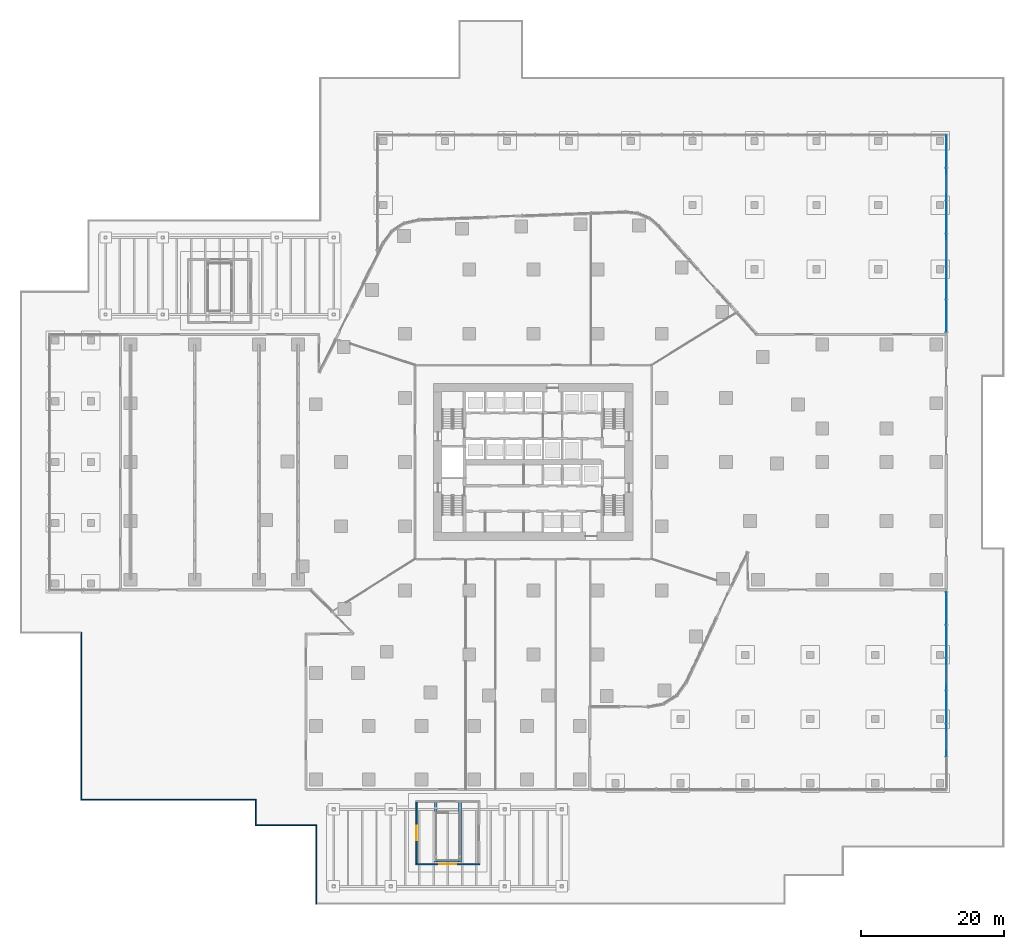
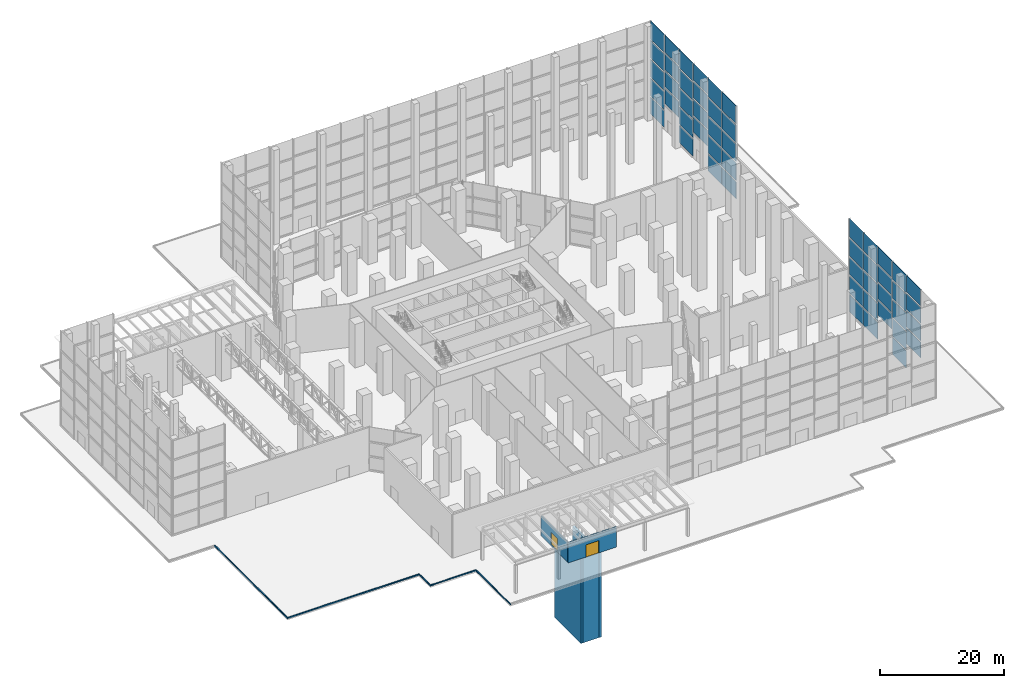
# One storey, part 27 of 40: 51 plates, 10 walls, 1 door, 1 window, 2 openings, 9 elements without a shape of their own.
"""IFC4 building model written with IfcOpenShell, lengths in metres."""

from ifc_helpers import new_model, si_unit, direction, frame, frame_2d, origin, origin_2d, place, context, subcontext, project, spatial, rectangle, extrude, material, layer, layer_set, type_object, element, fill, aggregate, save


model = new_model("IFC4")

# Units and contexts
model_context = context("Model", 3, precision=1e-05, world=origin(), true_north=direction((0.0, 1.0)))
body_context = subcontext(model_context, "Body", "Model", "MODEL_VIEW")
ifc_project = project(units=[si_unit("LENGTHUNIT", "METRE"), si_unit("AREAUNIT", "SQUARE_METRE"), si_unit("VOLUMEUNIT", "CUBIC_METRE"), si_unit("PLANEANGLEUNIT", "RADIAN"), si_unit("MASSUNIT", "GRAM", prefix="KILO")], contexts=[model_context])

# Site, building, storey
site_placement = place(None, origin())
site = spatial("IfcSite", under=ifc_project, at=site_placement, CompositionType="ELEMENT")
building_placement = place(site_placement, origin())
building = spatial("IfcBuilding", under=site, at=building_placement, Name="Dongbaek Canopy Tower", CompositionType="ELEMENT")
storey_placement = place(building_placement, origin())
storey = spatial("IfcBuildingStorey", under=building, at=storey_placement, Name="L00", CompositionType="ELEMENT", Elevation=0.0)

# Curtain wall, plates
ifc_material_1 = material(Name="Aluminium 6063-T6 pale anodised", Category="aluminium")
ifc_layer_1 = layer(ifc_material_1, 0.39990234375)
ifc_layer_set_1 = layer_set([ifc_layer_1], Name="CW-3 lobby double-height curtain wall")
curtain_wall_type = type_object("IfcCurtainWallType", Name="CW-3 lobby double-height curtain wall", PredefinedType="NOTDEFINED", material=ifc_layer_set_1)
curtain_wall_1_placement = place(storey_placement, origin())
curtain_wall_1 = element("IfcCurtainWall", 1, at=curtain_wall_1_placement, inside=storey, type_object=curtain_wall_type, Name="CW-3 curtain wall HNE.1", PredefinedType="NOTDEFINED")
ifc_material_2 = material(Name="Clear laminated glass", Category="glass")
ifc_layer_2 = layer(ifc_material_2, 0.0439453125)
ifc_layer_set_2 = layer_set([ifc_layer_2], Name="CW-3 glazed panel 44")
plate_type = type_object("IfcPlateType", Name="CW-3 glazed panel 44", PredefinedType="CURTAIN_PANEL", material=ifc_layer_set_2)
plate_1_placement = place(storey_placement, frame((57.89990234375, 20.50830078125, 0.25), z_axis=(0.0, 0.0, 1.0), x_axis=(0.0, 1.0, 0.0)))
plate_1 = element("IfcPlate", 2, at=plate_1_placement, type_object=plate_type, Name="CW-3 panel HNE.1.1.1", PredefinedType="CURTAIN_PANEL", context=body_context, shape_type="SweptSolid", body=[
    extrude(rectangle(XDim=4.49267578125, YDim=0.0439453125, at=origin_2d()), origin(), (0.0, 0.0, 1.0), 3.3349609375),
])
plate_2_placement = place(storey_placement, frame((57.89990234375, 20.50830078125, 3.8349609375), z_axis=(0.0, 0.0, 1.0), x_axis=(0.0, 1.0, 0.0)))
plate_2 = element("IfcPlate", 3, at=plate_2_placement, type_object=plate_type, Name="CW-3 panel HNE.1.1.2", PredefinedType="CURTAIN_PANEL", context=body_context, shape_type="SweptSolid", body=[
    extrude(rectangle(XDim=4.49267578125, YDim=0.0439453125, at=origin_2d()), origin(), (0.0, 0.0, 1.0), 3.4599609375),
])
plate_3_placement = place(storey_placement, frame((57.89990234375, 20.50830078125, 7.544921875), z_axis=(0.0, 0.0, 1.0), x_axis=(0.0, 1.0, 0.0)))
plate_3 = element("IfcPlate", 4, at=plate_3_placement, type_object=plate_type, Name="CW-3 panel HNE.1.1.3", PredefinedType="CURTAIN_PANEL", context=body_context, shape_type="SweptSolid", body=[
    extrude(rectangle(XDim=4.49267578125, YDim=0.0439453125, at=origin_2d()), origin(), (0.0, 0.0, 1.0), 3.4599609375),
])
plate_4_placement = place(storey_placement, frame((57.89990234375, 20.50830078125, 11.255126953125), z_axis=(0.0, 0.0, 1.0), x_axis=(0.0, 1.0, 0.0)))
plate_4 = element("IfcPlate", 5, at=plate_4_placement, type_object=plate_type, Name="CW-3 panel HNE.1.1.4", PredefinedType="CURTAIN_PANEL", context=body_context, shape_type="SweptSolid", body=[
    extrude(rectangle(XDim=4.49267578125, YDim=0.0439453125, at=origin_2d()), origin(), (0.0, 0.0, 1.0), 3.4599609375),
])
plate_5_placement = place(storey_placement, frame((57.89990234375, 20.50830078125, 14.965087890625), z_axis=(0.0, 0.0, 1.0), x_axis=(0.0, 1.0, 0.0)))
plate_5 = element("IfcPlate", 6, at=plate_5_placement, type_object=plate_type, Name="CW-3 panel HNE.1.1.5", PredefinedType="CURTAIN_PANEL", context=body_context, shape_type="SweptSolid", body=[
    extrude(rectangle(XDim=4.49267578125, YDim=0.0439453125, at=origin_2d()), origin(), (0.0, 0.0, 1.0), 3.5849609375),
])
plate_6_placement = place(storey_placement, frame((57.89990234375, 25.125, 0.25), z_axis=(0.0, 0.0, 1.0), x_axis=(0.0, 1.0, 0.0)))
plate_6 = element("IfcPlate", 7, at=plate_6_placement, type_object=plate_type, Name="CW-3 panel HNE.1.2.1", PredefinedType="CURTAIN_PANEL", context=body_context, shape_type="SweptSolid", body=[
    extrude(rectangle(XDim=4.49267578125, YDim=0.0439453125, at=origin_2d()), origin(), (0.0, 0.0, 1.0), 3.3349609375),
])
plate_7_placement = place(storey_placement, frame((57.89990234375, 25.125, 3.8349609375), z_axis=(0.0, 0.0, 1.0), x_axis=(0.0, 1.0, 0.0)))
plate_7 = element("IfcPlate", 8, at=plate_7_placement, type_object=plate_type, Name="CW-3 panel HNE.1.2.2", PredefinedType="CURTAIN_PANEL", context=body_context, shape_type="SweptSolid", body=[
    extrude(rectangle(XDim=4.49267578125, YDim=0.0439453125, at=origin_2d()), origin(), (0.0, 0.0, 1.0), 3.4599609375),
])
plate_8_placement = place(storey_placement, frame((57.89990234375, 25.125, 7.544921875), z_axis=(0.0, 0.0, 1.0), x_axis=(0.0, 1.0, 0.0)))
plate_8 = element("IfcPlate", 9, at=plate_8_placement, type_object=plate_type, Name="CW-3 panel HNE.1.2.3", PredefinedType="CURTAIN_PANEL", context=body_context, shape_type="SweptSolid", body=[
    extrude(rectangle(XDim=4.49267578125, YDim=0.0439453125, at=origin_2d()), origin(), (0.0, 0.0, 1.0), 3.4599609375),
])
plate_9_placement = place(storey_placement, frame((57.89990234375, 25.125, 11.255126953125), z_axis=(0.0, 0.0, 1.0), x_axis=(0.0, 1.0, 0.0)))
plate_9 = element("IfcPlate", 10, at=plate_9_placement, type_object=plate_type, Name="CW-3 panel HNE.1.2.4", PredefinedType="CURTAIN_PANEL", context=body_context, shape_type="SweptSolid", body=[
    extrude(rectangle(XDim=4.49267578125, YDim=0.0439453125, at=origin_2d()), origin(), (0.0, 0.0, 1.0), 3.4599609375),
])
plate_10_placement = place(storey_placement, frame((57.89990234375, 25.125, 14.965087890625), z_axis=(0.0, 0.0, 1.0), x_axis=(0.0, 1.0, 0.0)))
plate_10 = element("IfcPlate", 11, at=plate_10_placement, type_object=plate_type, Name="CW-3 panel HNE.1.2.5", PredefinedType="CURTAIN_PANEL", context=body_context, shape_type="SweptSolid", body=[
    extrude(rectangle(XDim=4.49267578125, YDim=0.0439453125, at=origin_2d()), origin(), (0.0, 0.0, 1.0), 3.5849609375),
])
aggregate(curtain_wall_1, [plate_1, plate_2, plate_3, plate_4, plate_5, plate_6, plate_7, plate_8, plate_9, plate_10])

curtain_wall_2_placement = place(storey_placement, origin())
curtain_wall_2 = element("IfcCurtainWall", 12, at=curtain_wall_2_placement, inside=storey, type_object=curtain_wall_type, Name="CW-3 curtain wall HNE.3U", PredefinedType="NOTDEFINED")
plate_11_placement = place(storey_placement, frame((57.89990234375, 29.74169921875, 5.050048828125), z_axis=(0.0, 0.0, 1.0), x_axis=(0.0, 1.0, 0.0)))
plate_11 = element("IfcPlate", 13, at=plate_11_placement, type_object=plate_type, Name="CW-3 panel HNE.3U.1.1", PredefinedType="CURTAIN_PANEL", context=body_context, shape_type="SweptSolid", body=[
    extrude(rectangle(XDim=4.49267578125, YDim=0.0439453125, at=origin_2d()), origin(), (0.0, 0.0, 1.0), 3.0625),
])
plate_12_placement = place(storey_placement, frame((57.89990234375, 29.74169921875, 8.362548828125), z_axis=(0.0, 0.0, 1.0), x_axis=(0.0, 1.0, 0.0)))
plate_12 = element("IfcPlate", 14, at=plate_12_placement, type_object=plate_type, Name="CW-3 panel HNE.3U.1.2", PredefinedType="CURTAIN_PANEL", context=body_context, shape_type="SweptSolid", body=[
    extrude(rectangle(XDim=4.49267578125, YDim=0.0439453125, at=origin_2d()), origin(), (0.0, 0.0, 1.0), 3.1875),
])
plate_13_placement = place(storey_placement, frame((57.89990234375, 29.74169921875, 11.800048828125), z_axis=(0.0, 0.0, 1.0), x_axis=(0.0, 1.0, 0.0)))
plate_13 = element("IfcPlate", 15, at=plate_13_placement, type_object=plate_type, Name="CW-3 panel HNE.3U.1.3", PredefinedType="CURTAIN_PANEL", context=body_context, shape_type="SweptSolid", body=[
    extrude(rectangle(XDim=4.49267578125, YDim=0.0439453125, at=origin_2d()), origin(), (0.0, 0.0, 1.0), 3.1875),
])
plate_14_placement = place(storey_placement, frame((57.89990234375, 29.74169921875, 15.237548828125), z_axis=(0.0, 0.0, 1.0), x_axis=(0.0, 1.0, 0.0)))
plate_14 = element("IfcPlate", 16, at=plate_14_placement, type_object=plate_type, Name="CW-3 panel HNE.3U.1.4", PredefinedType="CURTAIN_PANEL", context=body_context, shape_type="SweptSolid", body=[
    extrude(rectangle(XDim=4.49267578125, YDim=0.0439453125, at=origin_2d()), origin(), (0.0, 0.0, 1.0), 3.3125),
])
aggregate(curtain_wall_2, [plate_11, plate_12, plate_13, plate_14])

curtain_wall_3_placement = place(storey_placement, origin())
curtain_wall_3 = element("IfcCurtainWall", 17, at=curtain_wall_3_placement, inside=storey, type_object=curtain_wall_type, Name="CW-3 curtain wall HNE.2", PredefinedType="NOTDEFINED")
plate_15_placement = place(storey_placement, frame((57.89990234375, 34.3583984375, 0.25), z_axis=(0.0, 0.0, 1.0), x_axis=(0.0, 1.0, 0.0)))
plate_15 = element("IfcPlate", 18, at=plate_15_placement, type_object=plate_type, Name="CW-3 panel HNE.2.1.1", PredefinedType="CURTAIN_PANEL", context=body_context, shape_type="SweptSolid", body=[
    extrude(rectangle(XDim=4.49267578125, YDim=0.0439453125, at=origin_2d()), origin(), (0.0, 0.0, 1.0), 3.3349609375),
])
plate_16_placement = place(storey_placement, frame((57.89990234375, 34.3583984375, 3.8349609375), z_axis=(0.0, 0.0, 1.0), x_axis=(0.0, 1.0, 0.0)))
plate_16 = element("IfcPlate", 19, at=plate_16_placement, type_object=plate_type, Name="CW-3 panel HNE.2.1.2", PredefinedType="CURTAIN_PANEL", context=body_context, shape_type="SweptSolid", body=[
    extrude(rectangle(XDim=4.49267578125, YDim=0.0439453125, at=origin_2d()), origin(), (0.0, 0.0, 1.0), 3.4599609375),
])
plate_17_placement = place(storey_placement, frame((57.89990234375, 34.3583984375, 7.544921875), z_axis=(0.0, 0.0, 1.0), x_axis=(0.0, 1.0, 0.0)))
plate_17 = element("IfcPlate", 20, at=plate_17_placement, type_object=plate_type, Name="CW-3 panel HNE.2.1.3", PredefinedType="CURTAIN_PANEL", context=body_context, shape_type="SweptSolid", body=[
    extrude(rectangle(XDim=4.49267578125, YDim=0.0439453125, at=origin_2d()), origin(), (0.0, 0.0, 1.0), 3.4599609375),
])
plate_18_placement = place(storey_placement, frame((57.89990234375, 34.3583984375, 11.255126953125), z_axis=(0.0, 0.0, 1.0), x_axis=(0.0, 1.0, 0.0)))
plate_18 = element("IfcPlate", 21, at=plate_18_placement, type_object=plate_type, Name="CW-3 panel HNE.2.1.4", PredefinedType="CURTAIN_PANEL", context=body_context, shape_type="SweptSolid", body=[
    extrude(rectangle(XDim=4.49267578125, YDim=0.0439453125, at=origin_2d()), origin(), (0.0, 0.0, 1.0), 3.4599609375),
])
plate_19_placement = place(storey_placement, frame((57.89990234375, 34.3583984375, 14.965087890625), z_axis=(0.0, 0.0, 1.0), x_axis=(0.0, 1.0, 0.0)))
plate_19 = element("IfcPlate", 22, at=plate_19_placement, type_object=plate_type, Name="CW-3 panel HNE.2.1.5", PredefinedType="CURTAIN_PANEL", context=body_context, shape_type="SweptSolid", body=[
    extrude(rectangle(XDim=4.49267578125, YDim=0.0439453125, at=origin_2d()), origin(), (0.0, 0.0, 1.0), 3.5849609375),
])
aggregate(curtain_wall_3, [plate_15, plate_16, plate_17, plate_18, plate_19])

curtain_wall_4_placement = place(storey_placement, origin())
curtain_wall_4 = element("IfcCurtainWall", 23, at=curtain_wall_4_placement, inside=storey, type_object=curtain_wall_type, Name="CW-3 curtain wall HNE.5U", PredefinedType="NOTDEFINED")
plate_20_placement = place(storey_placement, frame((57.89990234375, 38.97509765625, 5.050048828125), z_axis=(0.0, 0.0, 1.0), x_axis=(0.0, 1.0, 0.0)))
plate_20 = element("IfcPlate", 24, at=plate_20_placement, type_object=plate_type, Name="CW-3 panel HNE.5U.1.1", PredefinedType="CURTAIN_PANEL", context=body_context, shape_type="SweptSolid", body=[
    extrude(rectangle(XDim=4.49267578125, YDim=0.0439453125, at=origin_2d()), origin(), (0.0, 0.0, 1.0), 3.0625),
])
plate_21_placement = place(storey_placement, frame((57.89990234375, 38.97509765625, 8.362548828125), z_axis=(0.0, 0.0, 1.0), x_axis=(0.0, 1.0, 0.0)))
plate_21 = element("IfcPlate", 25, at=plate_21_placement, type_object=plate_type, Name="CW-3 panel HNE.5U.1.2", PredefinedType="CURTAIN_PANEL", context=body_context, shape_type="SweptSolid", body=[
    extrude(rectangle(XDim=4.49267578125, YDim=0.0439453125, at=origin_2d()), origin(), (0.0, 0.0, 1.0), 3.1875),
])
plate_22_placement = place(storey_placement, frame((57.89990234375, 38.97509765625, 11.800048828125), z_axis=(0.0, 0.0, 1.0), x_axis=(0.0, 1.0, 0.0)))
plate_22 = element("IfcPlate", 26, at=plate_22_placement, type_object=plate_type, Name="CW-3 panel HNE.5U.1.3", PredefinedType="CURTAIN_PANEL", context=body_context, shape_type="SweptSolid", body=[
    extrude(rectangle(XDim=4.49267578125, YDim=0.0439453125, at=origin_2d()), origin(), (0.0, 0.0, 1.0), 3.1875),
])
plate_23_placement = place(storey_placement, frame((57.89990234375, 38.97509765625, 15.237548828125), z_axis=(0.0, 0.0, 1.0), x_axis=(0.0, 1.0, 0.0)))
plate_23 = element("IfcPlate", 27, at=plate_23_placement, type_object=plate_type, Name="CW-3 panel HNE.5U.1.4", PredefinedType="CURTAIN_PANEL", context=body_context, shape_type="SweptSolid", body=[
    extrude(rectangle(XDim=4.49267578125, YDim=0.0439453125, at=origin_2d()), origin(), (0.0, 0.0, 1.0), 3.3125),
])
aggregate(curtain_wall_4, [plate_20, plate_21, plate_22, plate_23])

curtain_wall_5_placement = place(storey_placement, origin())
curtain_wall_5 = element("IfcCurtainWall", 28, at=curtain_wall_5_placement, inside=storey, type_object=curtain_wall_type, Name="CW-3 curtain wall HNE.3", PredefinedType="NOTDEFINED")
plate_24_placement = place(storey_placement, frame((57.89990234375, 43.591552734375, 0.25), z_axis=(0.0, 0.0, 1.0), x_axis=(0.0, 1.0, 0.0)))
plate_24 = element("IfcPlate", 29, at=plate_24_placement, type_object=plate_type, Name="CW-3 panel HNE.3.1.1", PredefinedType="CURTAIN_PANEL", context=body_context, shape_type="SweptSolid", body=[
    extrude(rectangle(XDim=4.49267578125, YDim=0.0439453125, at=origin_2d()), origin(), (0.0, 0.0, 1.0), 3.3349609375),
])
plate_25_placement = place(storey_placement, frame((57.89990234375, 43.591552734375, 3.8349609375), z_axis=(0.0, 0.0, 1.0), x_axis=(0.0, 1.0, 0.0)))
plate_25 = element("IfcPlate", 30, at=plate_25_placement, type_object=plate_type, Name="CW-3 panel HNE.3.1.2", PredefinedType="CURTAIN_PANEL", context=body_context, shape_type="SweptSolid", body=[
    extrude(rectangle(XDim=4.49267578125, YDim=0.0439453125, at=origin_2d()), origin(), (0.0, 0.0, 1.0), 3.4599609375),
])
plate_26_placement = place(storey_placement, frame((57.89990234375, 43.591552734375, 7.544921875), z_axis=(0.0, 0.0, 1.0), x_axis=(0.0, 1.0, 0.0)))
plate_26 = element("IfcPlate", 31, at=plate_26_placement, type_object=plate_type, Name="CW-3 panel HNE.3.1.3", PredefinedType="CURTAIN_PANEL", context=body_context, shape_type="SweptSolid", body=[
    extrude(rectangle(XDim=4.49267578125, YDim=0.0439453125, at=origin_2d()), origin(), (0.0, 0.0, 1.0), 3.4599609375),
])
plate_27_placement = place(storey_placement, frame((57.89990234375, 43.591552734375, 11.255126953125), z_axis=(0.0, 0.0, 1.0), x_axis=(0.0, 1.0, 0.0)))
plate_27 = element("IfcPlate", 32, at=plate_27_placement, type_object=plate_type, Name="CW-3 panel HNE.3.1.4", PredefinedType="CURTAIN_PANEL", context=body_context, shape_type="SweptSolid", body=[
    extrude(rectangle(XDim=4.49267578125, YDim=0.0439453125, at=origin_2d()), origin(), (0.0, 0.0, 1.0), 3.4599609375),
])
plate_28_placement = place(storey_placement, frame((57.89990234375, 43.591552734375, 14.965087890625), z_axis=(0.0, 0.0, 1.0), x_axis=(0.0, 1.0, 0.0)))
plate_28 = element("IfcPlate", 33, at=plate_28_placement, type_object=plate_type, Name="CW-3 panel HNE.3.1.5", PredefinedType="CURTAIN_PANEL", context=body_context, shape_type="SweptSolid", body=[
    extrude(rectangle(XDim=4.49267578125, YDim=0.0439453125, at=origin_2d()), origin(), (0.0, 0.0, 1.0), 3.5849609375),
])
aggregate(curtain_wall_5, [plate_24, plate_25, plate_26, plate_27, plate_28])

curtain_wall_6_placement = place(storey_placement, origin())
curtain_wall_6 = element("IfcCurtainWall", 34, at=curtain_wall_6_placement, inside=storey, type_object=curtain_wall_type, Name="CW-3 curtain wall HSE.2U", PredefinedType="NOTDEFINED")
plate_29_placement = place(storey_placement, frame((57.89990234375, -38.97509765625, 5.050048828125), z_axis=(0.0, 0.0, 1.0), x_axis=(0.0, 1.0, 0.0)))
plate_29 = element("IfcPlate", 35, at=plate_29_placement, type_object=plate_type, Name="CW-3 panel HSE.2U.1.1", PredefinedType="CURTAIN_PANEL", context=body_context, shape_type="SweptSolid", body=[
    extrude(rectangle(XDim=4.49267578125, YDim=0.0439453125, at=origin_2d()), origin(), (0.0, 0.0, 1.0), 3.0625),
])
plate_30_placement = place(storey_placement, frame((57.89990234375, -38.97509765625, 8.362548828125), z_axis=(0.0, 0.0, 1.0), x_axis=(0.0, 1.0, 0.0)))
plate_30 = element("IfcPlate", 36, at=plate_30_placement, type_object=plate_type, Name="CW-3 panel HSE.2U.1.2", PredefinedType="CURTAIN_PANEL", context=body_context, shape_type="SweptSolid", body=[
    extrude(rectangle(XDim=4.49267578125, YDim=0.0439453125, at=origin_2d()), origin(), (0.0, 0.0, 1.0), 3.1875),
])
plate_31_placement = place(storey_placement, frame((57.89990234375, -38.97509765625, 11.800048828125), z_axis=(0.0, 0.0, 1.0), x_axis=(0.0, 1.0, 0.0)))
plate_31 = element("IfcPlate", 37, at=plate_31_placement, type_object=plate_type, Name="CW-3 panel HSE.2U.1.3", PredefinedType="CURTAIN_PANEL", context=body_context, shape_type="SweptSolid", body=[
    extrude(rectangle(XDim=4.49267578125, YDim=0.0439453125, at=origin_2d()), origin(), (0.0, 0.0, 1.0), 3.1875),
])
plate_32_placement = place(storey_placement, frame((57.89990234375, -38.97509765625, 15.237548828125), z_axis=(0.0, 0.0, 1.0), x_axis=(0.0, 1.0, 0.0)))
plate_32 = element("IfcPlate", 38, at=plate_32_placement, type_object=plate_type, Name="CW-3 panel HSE.2U.1.4", PredefinedType="CURTAIN_PANEL", context=body_context, shape_type="SweptSolid", body=[
    extrude(rectangle(XDim=4.49267578125, YDim=0.0439453125, at=origin_2d()), origin(), (0.0, 0.0, 1.0), 3.3125),
])
aggregate(curtain_wall_6, [plate_29, plate_30, plate_31, plate_32])

curtain_wall_7_placement = place(storey_placement, origin())
curtain_wall_7 = element("IfcCurtainWall", 39, at=curtain_wall_7_placement, inside=storey, type_object=curtain_wall_type, Name="CW-3 curtain wall HSE.2", PredefinedType="NOTDEFINED")
plate_33_placement = place(storey_placement, frame((57.89990234375, -34.3583984375, 0.25), z_axis=(0.0, 0.0, 1.0), x_axis=(0.0, 1.0, 0.0)))
plate_33 = element("IfcPlate", 40, at=plate_33_placement, type_object=plate_type, Name="CW-3 panel HSE.2.1.1", PredefinedType="CURTAIN_PANEL", context=body_context, shape_type="SweptSolid", body=[
    extrude(rectangle(XDim=4.49267578125, YDim=0.0439453125, at=origin_2d()), origin(), (0.0, 0.0, 1.0), 3.3349609375),
])
plate_34_placement = place(storey_placement, frame((57.89990234375, -34.3583984375, 3.8349609375), z_axis=(0.0, 0.0, 1.0), x_axis=(0.0, 1.0, 0.0)))
plate_34 = element("IfcPlate", 41, at=plate_34_placement, type_object=plate_type, Name="CW-3 panel HSE.2.1.2", PredefinedType="CURTAIN_PANEL", context=body_context, shape_type="SweptSolid", body=[
    extrude(rectangle(XDim=4.49267578125, YDim=0.0439453125, at=origin_2d()), origin(), (0.0, 0.0, 1.0), 3.4599609375),
])
plate_35_placement = place(storey_placement, frame((57.89990234375, -34.3583984375, 7.544921875), z_axis=(0.0, 0.0, 1.0), x_axis=(0.0, 1.0, 0.0)))
plate_35 = element("IfcPlate", 42, at=plate_35_placement, type_object=plate_type, Name="CW-3 panel HSE.2.1.3", PredefinedType="CURTAIN_PANEL", context=body_context, shape_type="SweptSolid", body=[
    extrude(rectangle(XDim=4.49267578125, YDim=0.0439453125, at=origin_2d()), origin(), (0.0, 0.0, 1.0), 3.4599609375),
])
plate_36_placement = place(storey_placement, frame((57.89990234375, -34.3583984375, 11.255126953125), z_axis=(0.0, 0.0, 1.0), x_axis=(0.0, 1.0, 0.0)))
plate_36 = element("IfcPlate", 43, at=plate_36_placement, type_object=plate_type, Name="CW-3 panel HSE.2.1.4", PredefinedType="CURTAIN_PANEL", context=body_context, shape_type="SweptSolid", body=[
    extrude(rectangle(XDim=4.49267578125, YDim=0.0439453125, at=origin_2d()), origin(), (0.0, 0.0, 1.0), 3.4599609375),
])
plate_37_placement = place(storey_placement, frame((57.89990234375, -34.3583984375, 14.965087890625), z_axis=(0.0, 0.0, 1.0), x_axis=(0.0, 1.0, 0.0)))
plate_37 = element("IfcPlate", 44, at=plate_37_placement, type_object=plate_type, Name="CW-3 panel HSE.2.1.5", PredefinedType="CURTAIN_PANEL", context=body_context, shape_type="SweptSolid", body=[
    extrude(rectangle(XDim=4.49267578125, YDim=0.0439453125, at=origin_2d()), origin(), (0.0, 0.0, 1.0), 3.5849609375),
])
aggregate(curtain_wall_7, [plate_33, plate_34, plate_35, plate_36, plate_37])

curtain_wall_8_placement = place(storey_placement, origin())
curtain_wall_8 = element("IfcCurtainWall", 45, at=curtain_wall_8_placement, inside=storey, type_object=curtain_wall_type, Name="CW-3 curtain wall HSE.4U", PredefinedType="NOTDEFINED")
plate_38_placement = place(storey_placement, frame((57.89990234375, -29.74169921875, 5.050048828125), z_axis=(0.0, 0.0, 1.0), x_axis=(0.0, 1.0, 0.0)))
plate_38 = element("IfcPlate", 46, at=plate_38_placement, type_object=plate_type, Name="CW-3 panel HSE.4U.1.1", PredefinedType="CURTAIN_PANEL", context=body_context, shape_type="SweptSolid", body=[
    extrude(rectangle(XDim=4.49267578125, YDim=0.0439453125, at=origin_2d()), origin(), (0.0, 0.0, 1.0), 3.0625),
])
plate_39_placement = place(storey_placement, frame((57.89990234375, -29.74169921875, 8.362548828125), z_axis=(0.0, 0.0, 1.0), x_axis=(0.0, 1.0, 0.0)))
plate_39 = element("IfcPlate", 47, at=plate_39_placement, type_object=plate_type, Name="CW-3 panel HSE.4U.1.2", PredefinedType="CURTAIN_PANEL", context=body_context, shape_type="SweptSolid", body=[
    extrude(rectangle(XDim=4.49267578125, YDim=0.0439453125, at=origin_2d()), origin(), (0.0, 0.0, 1.0), 3.1875),
])
plate_40_placement = place(storey_placement, frame((57.89990234375, -29.74169921875, 11.800048828125), z_axis=(0.0, 0.0, 1.0), x_axis=(0.0, 1.0, 0.0)))
plate_40 = element("IfcPlate", 48, at=plate_40_placement, type_object=plate_type, Name="CW-3 panel HSE.4U.1.3", PredefinedType="CURTAIN_PANEL", context=body_context, shape_type="SweptSolid", body=[
    extrude(rectangle(XDim=4.49267578125, YDim=0.0439453125, at=origin_2d()), origin(), (0.0, 0.0, 1.0), 3.1875),
])
plate_41_placement = place(storey_placement, frame((57.89990234375, -29.74169921875, 15.237548828125), z_axis=(0.0, 0.0, 1.0), x_axis=(0.0, 1.0, 0.0)))
plate_41 = element("IfcPlate", 49, at=plate_41_placement, type_object=plate_type, Name="CW-3 panel HSE.4U.1.4", PredefinedType="CURTAIN_PANEL", context=body_context, shape_type="SweptSolid", body=[
    extrude(rectangle(XDim=4.49267578125, YDim=0.0439453125, at=origin_2d()), origin(), (0.0, 0.0, 1.0), 3.3125),
])
aggregate(curtain_wall_8, [plate_38, plate_39, plate_40, plate_41])

curtain_wall_9_placement = place(storey_placement, origin())
curtain_wall_9 = element("IfcCurtainWall", 50, at=curtain_wall_9_placement, inside=storey, type_object=curtain_wall_type, Name="CW-3 curtain wall HSE.3", PredefinedType="NOTDEFINED")
plate_42_placement = place(storey_placement, frame((57.89990234375, -25.125, 0.25), z_axis=(0.0, 0.0, 1.0), x_axis=(0.0, 1.0, 0.0)))
plate_42 = element("IfcPlate", 51, at=plate_42_placement, type_object=plate_type, Name="CW-3 panel HSE.3.1.1", PredefinedType="CURTAIN_PANEL", context=body_context, shape_type="SweptSolid", body=[
    extrude(rectangle(XDim=4.49267578125, YDim=0.0439453125, at=origin_2d()), origin(), (0.0, 0.0, 1.0), 3.3349609375),
])
plate_43_placement = place(storey_placement, frame((57.89990234375, -25.125, 3.8349609375), z_axis=(0.0, 0.0, 1.0), x_axis=(0.0, 1.0, 0.0)))
plate_43 = element("IfcPlate", 52, at=plate_43_placement, type_object=plate_type, Name="CW-3 panel HSE.3.1.2", PredefinedType="CURTAIN_PANEL", context=body_context, shape_type="SweptSolid", body=[
    extrude(rectangle(XDim=4.49267578125, YDim=0.0439453125, at=origin_2d()), origin(), (0.0, 0.0, 1.0), 3.4599609375),
])
plate_44_placement = place(storey_placement, frame((57.89990234375, -25.125, 7.544921875), z_axis=(0.0, 0.0, 1.0), x_axis=(0.0, 1.0, 0.0)))
plate_44 = element("IfcPlate", 53, at=plate_44_placement, type_object=plate_type, Name="CW-3 panel HSE.3.1.3", PredefinedType="CURTAIN_PANEL", context=body_context, shape_type="SweptSolid", body=[
    extrude(rectangle(XDim=4.49267578125, YDim=0.0439453125, at=origin_2d()), origin(), (0.0, 0.0, 1.0), 3.4599609375),
])
plate_45_placement = place(storey_placement, frame((57.89990234375, -25.125, 11.255126953125), z_axis=(0.0, 0.0, 1.0), x_axis=(0.0, 1.0, 0.0)))
plate_45 = element("IfcPlate", 54, at=plate_45_placement, type_object=plate_type, Name="CW-3 panel HSE.3.1.4", PredefinedType="CURTAIN_PANEL", context=body_context, shape_type="SweptSolid", body=[
    extrude(rectangle(XDim=4.49267578125, YDim=0.0439453125, at=origin_2d()), origin(), (0.0, 0.0, 1.0), 3.4599609375),
])
plate_46_placement = place(storey_placement, frame((57.89990234375, -25.125, 14.965087890625), z_axis=(0.0, 0.0, 1.0), x_axis=(0.0, 1.0, 0.0)))
plate_46 = element("IfcPlate", 55, at=plate_46_placement, type_object=plate_type, Name="CW-3 panel HSE.3.1.5", PredefinedType="CURTAIN_PANEL", context=body_context, shape_type="SweptSolid", body=[
    extrude(rectangle(XDim=4.49267578125, YDim=0.0439453125, at=origin_2d()), origin(), (0.0, 0.0, 1.0), 3.5849609375),
])
plate_47_placement = place(storey_placement, frame((57.89990234375, -20.50830078125, 0.25), z_axis=(0.0, 0.0, 1.0), x_axis=(0.0, 1.0, 0.0)))
plate_47 = element("IfcPlate", 56, at=plate_47_placement, type_object=plate_type, Name="CW-3 panel HSE.3.2.1", PredefinedType="CURTAIN_PANEL", context=body_context, shape_type="SweptSolid", body=[
    extrude(rectangle(XDim=4.49267578125, YDim=0.0439453125, at=origin_2d()), origin(), (0.0, 0.0, 1.0), 3.3349609375),
])
plate_48_placement = place(storey_placement, frame((57.89990234375, -20.50830078125, 3.8349609375), z_axis=(0.0, 0.0, 1.0), x_axis=(0.0, 1.0, 0.0)))
plate_48 = element("IfcPlate", 57, at=plate_48_placement, type_object=plate_type, Name="CW-3 panel HSE.3.2.2", PredefinedType="CURTAIN_PANEL", context=body_context, shape_type="SweptSolid", body=[
    extrude(rectangle(XDim=4.49267578125, YDim=0.0439453125, at=origin_2d()), origin(), (0.0, 0.0, 1.0), 3.4599609375),
])
plate_49_placement = place(storey_placement, frame((57.89990234375, -20.50830078125, 7.544921875), z_axis=(0.0, 0.0, 1.0), x_axis=(0.0, 1.0, 0.0)))
plate_49 = element("IfcPlate", 58, at=plate_49_placement, type_object=plate_type, Name="CW-3 panel HSE.3.2.3", PredefinedType="CURTAIN_PANEL", context=body_context, shape_type="SweptSolid", body=[
    extrude(rectangle(XDim=4.49267578125, YDim=0.0439453125, at=origin_2d()), origin(), (0.0, 0.0, 1.0), 3.4599609375),
])
plate_50_placement = place(storey_placement, frame((57.89990234375, -20.50830078125, 11.255126953125), z_axis=(0.0, 0.0, 1.0), x_axis=(0.0, 1.0, 0.0)))
plate_50 = element("IfcPlate", 59, at=plate_50_placement, type_object=plate_type, Name="CW-3 panel HSE.3.2.4", PredefinedType="CURTAIN_PANEL", context=body_context, shape_type="SweptSolid", body=[
    extrude(rectangle(XDim=4.49267578125, YDim=0.0439453125, at=origin_2d()), origin(), (0.0, 0.0, 1.0), 3.4599609375),
])
plate_51_placement = place(storey_placement, frame((57.89990234375, -20.50830078125, 14.965087890625), z_axis=(0.0, 0.0, 1.0), x_axis=(0.0, 1.0, 0.0)))
plate_51 = element("IfcPlate", 60, at=plate_51_placement, type_object=plate_type, Name="CW-3 panel HSE.3.2.5", PredefinedType="CURTAIN_PANEL", context=body_context, shape_type="SweptSolid", body=[
    extrude(rectangle(XDim=4.49267578125, YDim=0.0439453125, at=origin_2d()), origin(), (0.0, 0.0, 1.0), 3.5849609375),
])
aggregate(curtain_wall_9, [plate_42, plate_43, plate_44, plate_45, plate_46, plate_47, plate_48, plate_49, plate_50, plate_51])

# Wall, opening, door
ifc_material_3 = material(Name="Aluminium window wall", Category="aluminium")
ifc_layer_3 = layer(ifc_material_3, 0.199951171875)
ifc_layer_set_3 = layer_set([ifc_layer_3], Name="Entrance wall 200")
wall_type_1 = type_object("IfcWallType", Name="Entrance wall 200", PredefinedType="SOLIDWALL", material=ifc_layer_set_3)
wall_1_placement = place(storey_placement, frame((-7.5, -56.39990234375, 0.0), z_axis=(0.0, 0.0, 1.0), x_axis=(-1.0, 0.0, 0.0)))
wall_1 = element("IfcWall", 61, at=wall_1_placement, inside=storey, type_object=wall_type_1, Name="Metro entrance A S wall", PredefinedType="SOLIDWALL", context=body_context, shape_type="SweptSolid", body=[
    extrude(rectangle(XDim=9.0, YDim=0.199951171875, at=frame_2d((4.5, 0.0))), origin(), (0.0, 0.0, 1.0), 4.0),
])
opening_1_placement = place(wall_1_placement, frame((3.300048828125, 0.0, 0.0)))
opening_1 = element("IfcOpeningElement", 62, at=opening_1_placement, cuts=wall_1, Name="Opening L00-M01", PredefinedType="OPENING", context=body_context, shape_type="SweptSolid", body=[
    extrude(rectangle(XDim=2.39990234375, YDim=2.39990234375, at=frame_2d((1.199951171875, 1.199951171875))), frame((0.0, 0.10986328125, 0.0), z_axis=(0.0, -1.0, 0.0), x_axis=(1.0, 0.0, 0.0)), (0.0, 0.0, 1.0), 0.219970703125),
])
ifc_material_4 = material(Name="Clear glazing in aluminium frame", Category="aluminium")
door_type = type_object("IfcDoorType", Name="Entrance door ED1 2400 x 2400", OperationType="DOUBLE_DOOR_SINGLE_SWING", PredefinedType="DOOR", material=ifc_material_4)
door_placement = place(opening_1_placement, origin())
door = element("IfcDoor", 63, at=door_placement, inside=storey, type_object=door_type, Name="Exterior door L00-M01", OperationType="SINGLE_SWING_LEFT", OverallHeight=2.39990234375, OverallWidth=2.39990234375, PredefinedType="DOOR", context=body_context, shape_type="SweptSolid", body=[
    extrude(rectangle(XDim=2.39990234375, YDim=2.39990234375, at=frame_2d((1.199951171875, 1.199951171875))), frame((0.0, 0.02490234375, 0.0), z_axis=(0.0, -1.0, 0.0), x_axis=(1.0, 0.0, 0.0)), (0.0, 0.0, 1.0), 0.050048828125),
])
fill(opening_1, door)

# Wall, opening, window
wall_2_placement = place(storey_placement, frame((-16.39990234375, -56.300048828125, 0.0), z_axis=(0.0, 0.0, 1.0), x_axis=(0.0, 1.0, 0.0)))
wall_2 = element("IfcWall", 64, at=wall_2_placement, inside=storey, type_object=wall_type_1, Name="Metro entrance A W wall", PredefinedType="SOLIDWALL", context=body_context, shape_type="SweptSolid", body=[
    extrude(rectangle(XDim=8.60009765625, YDim=0.199951171875, at=frame_2d((4.300048828125, 0.0))), origin(), (0.0, 0.0, 1.0), 4.0),
])
opening_2_placement = place(wall_2_placement, frame((3.300048828125, 0.0, 0.300048828125)))
opening_2 = element("IfcOpeningElement", 65, at=opening_2_placement, cuts=wall_2, Name="Opening PW1", PredefinedType="OPENING", context=body_context, shape_type="SweptSolid", body=[
    extrude(rectangle(XDim=2.0, YDim=2.39990234375, at=frame_2d((1.0, 1.199951171875))), frame((0.0, 0.10986328125, 0.0), z_axis=(0.0, -1.0, 0.0), x_axis=(1.0, 0.0, 0.0)), (0.0, 0.0, 1.0), 0.219970703125),
])
ifc_material_5 = material(Name="Clear glazing in aluminium frame", Category="aluminium")
window_type = type_object("IfcWindowType", Name="Pavilion window PW1 2000 x 2400", PartitioningType="SINGLE_PANEL", PredefinedType="WINDOW", material=ifc_material_5)
window_placement = place(opening_2_placement, origin())
window = element("IfcWindow", 66, at=window_placement, inside=storey, type_object=window_type, Name="Metro entrance A window W", OverallHeight=2.39990234375, OverallWidth=2.0, PartitioningType="SINGLE_PANEL", PredefinedType="WINDOW", context=body_context, shape_type="SweptSolid", body=[
    extrude(rectangle(XDim=2.0, YDim=2.39990234375, at=frame_2d((1.0, 1.199951171875))), frame((0.0, 0.030029296875, 0.0), z_axis=(0.0, -1.0, 0.0), x_axis=(1.0, 0.0, 0.0)), (0.0, 0.0, 1.0), 0.06005859375),
])
fill(opening_2, window)

# Walls
ifc_material_6 = material(Name="Precast concrete C40/50 kerb", Category="concrete")
ifc_layer_4 = layer(ifc_material_6, 0.14990234375)
ifc_layer_set_4 = layer_set([ifc_layer_4], Name="Plaza kerb 150")
wall_type_2 = type_object("IfcWallType", Name="Plaza kerb 150", PredefinedType="SOLIDWALL", material=ifc_layer_set_4)
wall_3_placement = place(storey_placement, frame((-30.425048828125, -62.0, 0.0), z_axis=(0.0, 0.0, 1.0), x_axis=(0.0, 1.0, 0.0)))
element("IfcWall", 67, at=wall_3_placement, inside=storey, type_object=wall_type_2, Name="Plaza kerb 3", PredefinedType="SOLIDWALL", context=body_context, shape_type="SweptSolid", body=[
    extrude(rectangle(XDim=11.14990234375, YDim=0.14990234375, at=frame_2d((5.574951171875, 0.0))), origin(), (0.0, 0.0, 1.0), 0.14990234375),
])
wall_4_placement = place(storey_placement, frame((-38.85009765625, -50.925048828125, 0.0), z_axis=(0.0, 0.0, 1.0), x_axis=(1.0, 0.0, 0.0)))
element("IfcWall", 68, at=wall_4_placement, inside=storey, type_object=wall_type_2, Name="Plaza kerb 8", PredefinedType="SOLIDWALL", context=body_context, shape_type="SweptSolid", body=[
    extrude(rectangle(XDim=8.35009765625, YDim=0.14990234375, at=frame_2d((4.175048828125, 0.0))), origin(), (0.0, 0.0, 1.0), 0.14990234375),
])
wall_5_placement = place(storey_placement, frame((-38.925048828125, -51.0, 0.0), z_axis=(0.0, 0.0, 1.0), x_axis=(0.0, 1.0, 0.0)))
element("IfcWall", 69, at=wall_5_placement, inside=storey, type_object=wall_type_2, Name="Plaza kerb 9", PredefinedType="SOLIDWALL", context=body_context, shape_type="SweptSolid", body=[
    extrude(rectangle(XDim=3.75, YDim=0.14990234375, at=frame_2d((1.875, 0.0))), origin(), (0.0, 0.0, 1.0), 0.14990234375),
])
wall_6_placement = place(storey_placement, frame((-63.35009765625, -47.324951171875, 0.0), z_axis=(0.0, 0.0, 1.0), x_axis=(1.0, 0.0, 0.0)))
element("IfcWall", 70, at=wall_6_placement, inside=storey, type_object=wall_type_2, Name="Plaza kerb 10", PredefinedType="SOLIDWALL", context=body_context, shape_type="SweptSolid", body=[
    extrude(rectangle(XDim=24.35009765625, YDim=0.14990234375, at=frame_2d((12.175048828125, 0.0))), origin(), (0.0, 0.0, 1.0), 0.14990234375),
])
wall_7_placement = place(storey_placement, frame((-63.425048828125, -47.39990234375, 0.0), z_axis=(0.0, 0.0, 1.0), x_axis=(0.0, 1.0, 0.0)))
element("IfcWall", 71, at=wall_7_placement, inside=storey, type_object=wall_type_2, Name="Plaza kerb 11", PredefinedType="SOLIDWALL", context=body_context, shape_type="SweptSolid", body=[
    extrude(rectangle(XDim=23.5498046875, YDim=0.14990234375, at=frame_2d((11.77490234375, 0.0))), origin(), (0.0, 0.0, 1.0), 0.14990234375),
])
ifc_material_7 = material(Name="Concrete C40/50", Category="concrete")
ifc_layer_5 = layer(ifc_material_7, 0.39990234375)
ifc_layer_set_5 = layer_set([ifc_layer_5], Name="Stair well wall 400")
wall_type_3 = type_object("IfcWallType", Name="Stair well wall 400", PredefinedType="SHEAR", material=ifc_layer_set_5)
for number, where, z_axis, x_axis, name in (
    (72, (-13.699951171875, -47.5, -17.0), (0.0, 0.0, 1.0), (0.0, -1.0, 0.0), "Metro entrance A stair well wall W"),
    (73, (-10.300048828125, -47.5, -17.0), (0.0, 0.0, 1.0), (0.0, -1.0, 0.0), "Metro entrance A stair well wall E"),
):
    element("IfcWall", number, at=place(storey_placement, frame(where, z_axis=z_axis, x_axis=x_axis)), inside=storey, type_object=wall_type_3, Name=name, PredefinedType="SHEAR", context=body_context, shape_type="SweptSolid", body=[
        extrude(rectangle(XDim=8.60009765625, YDim=0.39990234375, at=frame_2d((4.300048828125, 0.0))), origin(), (0.0, 0.0, 1.0), 16.699951171875),
    ])
wall_8_placement = place(storey_placement, frame((-13.5, -55.89990234375, -17.0), z_axis=(0.0, 0.0, 1.0), x_axis=(1.0, 0.0, 0.0)))
element("IfcWall", 74, at=wall_8_placement, inside=storey, type_object=wall_type_3, Name="Metro entrance A stair well wall F", PredefinedType="SHEAR", context=body_context, shape_type="SweptSolid", body=[
    extrude(rectangle(XDim=3.0, YDim=0.39990234375, at=frame_2d((1.5, 0.0))), origin(), (0.0, 0.0, 1.0), 16.699951171875),
])

save(model, "model.ifc")
